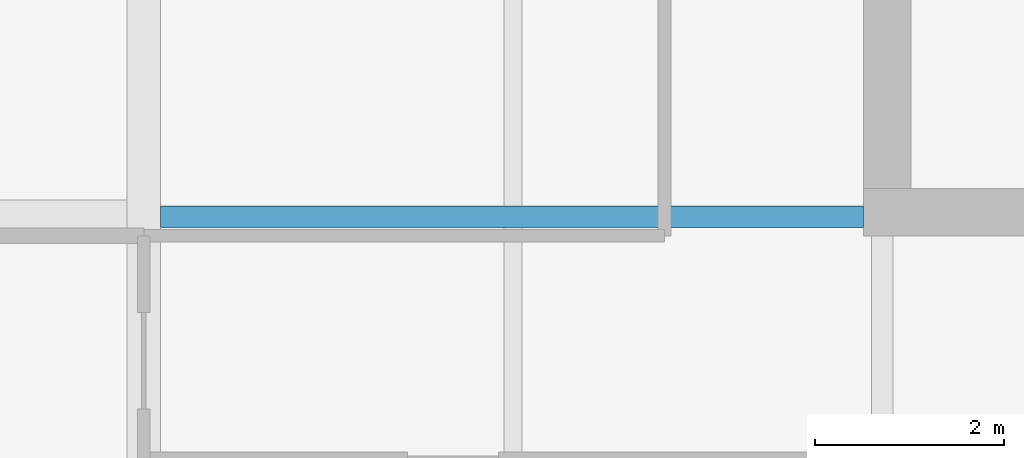
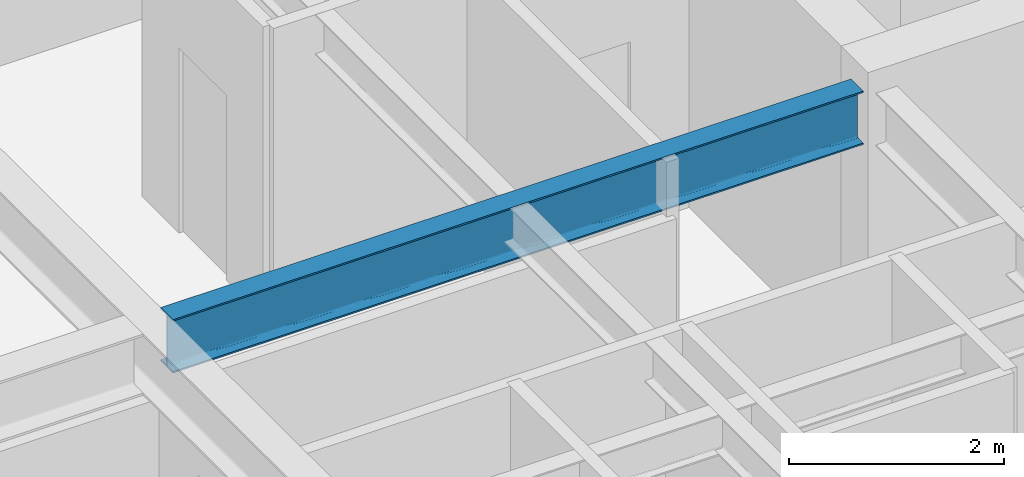
# One storey, part 8 of 32: 1 beam.
"""IFC4 building model written with IfcOpenShell, lengths in metres."""

from ifc_helpers import new_model, si_unit, direction, frame, origin, origin_2d, place, context, subcontext, project, spatial, i_section, extrude, material, material_profile, profile_set, type_object, element, save


model = new_model("IFC4")

# Units and contexts
model_context = context("Model", 3, precision=1e-05, world=origin(), true_north=direction((0.0, 1.0)))
body_context = subcontext(model_context, "Body", "Model", "MODEL_VIEW")
ifc_project = project(units=[si_unit("LENGTHUNIT", "METRE"), si_unit("AREAUNIT", "SQUARE_METRE"), si_unit("VOLUMEUNIT", "CUBIC_METRE"), si_unit("PLANEANGLEUNIT", "RADIAN"), si_unit("MASSUNIT", "GRAM", prefix="KILO")], contexts=[model_context])

# Site, building, storey
site_placement = place(None, origin())
site = spatial("IfcSite", under=ifc_project, at=site_placement, CompositionType="ELEMENT")
building_placement = place(site_placement, origin())
building = spatial("IfcBuilding", under=site, at=building_placement, Name="Drelvath Grand Hotel", CompositionType="ELEMENT")
storey_placement = place(building_placement, frame((0.0, 0.0, 150.39990234375)))
storey = spatial("IfcBuildingStorey", under=building, at=storey_placement, Name="L38", CompositionType="ELEMENT", Elevation=150.39990234375)

# Beam
ifc_material = material(Name="Steel ASTM A992 Gr 50", Category="steel")
ifc_material_profile = material_profile(ifc_material, i_section(OverallWidth=0.228271484375, OverallDepth=0.607666015625, WebThickness=0.01123046875, FlangeThickness=0.017333984375, FilletRadius=0.02001953125, at=origin_2d()), Name="W24X76")
ifc_profile_set = profile_set([ifc_material_profile], Name="Steel ASTM A992 Gr 50")
beam_type = type_object("IfcBeamType", Name="Primary Floor Girder W24X76", PredefinedType="BEAM", material=ifc_profile_set)
beam_placement = place(storey_placement, frame((-16.022705078125, 18.60009765625, 2.986328125), z_axis=(1.0, 0.0, 0.0), x_axis=(0.0, 1.0, 0.0)))
element("IfcBeam", 1, at=beam_placement, inside=storey, type_object=beam_type, Name="L38 West Core Tie D", PredefinedType="BEAM", context=body_context, shape_type="SweptSolid", body=[
    extrude(i_section(OverallWidth=0.228271484375, OverallDepth=0.607666015625, WebThickness=0.01123046875, FlangeThickness=0.017333984375, FilletRadius=0.02001953125, at=origin_2d()), origin(), (0.0, 0.0, 1.0), 7.422607421875),
])

save(model, "model.ifc")
